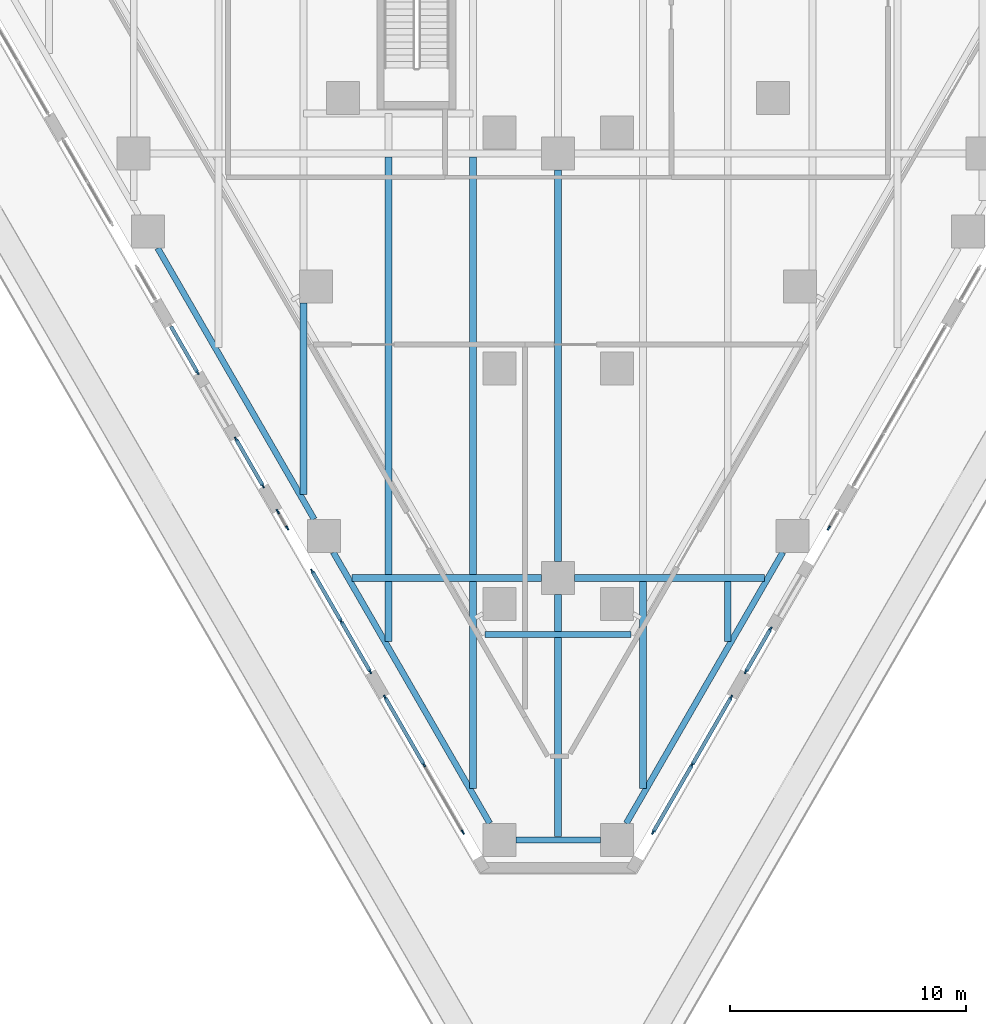
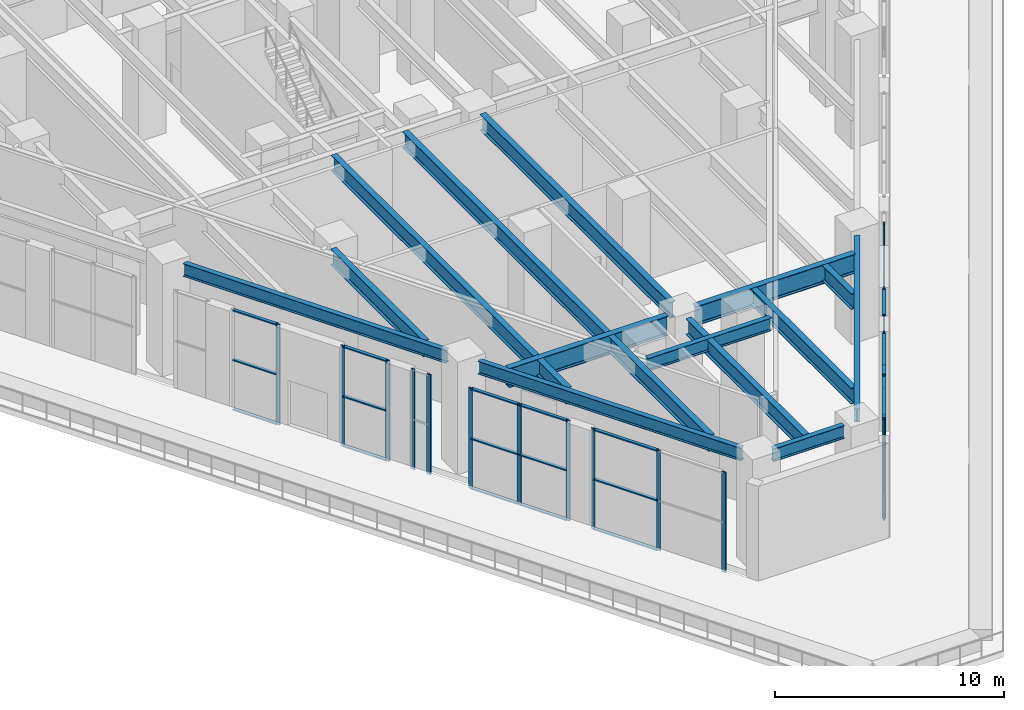
# One storey, part 2 of 40: 41 members, 16 beams, 8 elements without a shape of their own.
"""IFC4 building model written with IfcOpenShell, lengths in metres."""

import ifcopenshell
import ifcopenshell.guid

model = None  # the IFC model being written
_history = None  # IfcOwnerHistory: only IFC2X3 demands one
_inside = {}  # id of a spatial element -> (the spatial element, [elements in it])
_under = {}  # id of a project, library or spatial element -> (it, [spatial elements below it])
_declared = {}  # id of a project -> (the project, [libraries it declares])
_typed = {}  # id of a type object -> (the type object, [elements of that type])
_made_of = {}  # id of a material, layer set ... -> (it, [elements and type objects made of it])


def new_model(schema):
    """Start an empty IFC model of exactly this schema.

    Asked for "IFC4X3", IfcOpenShell would pick the latest addendum, in which some entities
    have other attributes; the version numbers below select the first issue.
    IFC2X3 requires an IfcOwnerHistory on every rooted entity: one is made here for all.
    """
    global model, _history
    if schema == "IFC4X3":
        model = ifcopenshell.file(schema_version=(4, 3, 0, 0))
    else:
        model = ifcopenshell.file(schema=schema)
    _inside.clear()
    _under.clear()
    _declared.clear()
    _typed.clear()
    _made_of.clear()
    _history = None
    if model.schema == "IFC2X3":
        org = make("IfcOrganization", Name="unknown")
        user = make(
            "IfcPersonAndOrganization",
            ThePerson=make("IfcPerson", FamilyName="unknown"),
            TheOrganization=org,
        )
        app = make(
            "IfcApplication",
            ApplicationDeveloper=org,
            Version="unknown",
            ApplicationFullName="unknown",
            ApplicationIdentifier="unknown",
        )
        _history = make(
            "IfcOwnerHistory",
            OwningUser=user,
            OwningApplication=app,
            ChangeAction="ADDED",
            CreationDate=0,
        )
    return model


def make(cls, **values):
    """One entity of the class cls with the attributes given. An attribute that is None is left unset."""
    return model.create_entity(
        cls, **{name: value for name, value in values.items() if value is not None}
    )


def rooted(cls, **values):
    """An entity with a GlobalId (a new one), such as an element, a storey or a relation."""
    return make(cls, GlobalId=ifcopenshell.guid.new(), OwnerHistory=_history, **values)


def si_unit(unit_type, name, prefix=None):
    """IfcSIUnit, for example si_unit("LENGTHUNIT", "METRE", prefix="MILLI")."""
    return make("IfcSIUnit", UnitType=unit_type, Prefix=prefix, Name=name)


def assignment(units):
    """IfcUnitAssignment: the units of a project."""
    return None if units is None else make("IfcUnitAssignment", Units=units)


def point(xyz):
    """IfcCartesianPoint."""
    return None if xyz is None else make("IfcCartesianPoint", Coordinates=xyz)


def direction(xyz):
    """IfcDirection."""
    return None if xyz is None else make("IfcDirection", DirectionRatios=xyz)


def frame(location, z_axis=None, x_axis=None):
    """IfcAxis2Placement3D, a coordinate frame: its origin and axes. An axis left out is left unset."""
    return make(
        "IfcAxis2Placement3D",
        Location=point(location),
        Axis=direction(z_axis),
        RefDirection=direction(x_axis),
    )


def frame_2d(location, x_axis=None):
    """IfcAxis2Placement2D, a coordinate frame in the plane: its origin and x axis."""
    return make(
        "IfcAxis2Placement2D", Location=point(location), RefDirection=direction(x_axis)
    )


def origin():
    """The frame at (0, 0, 0) with its axes left unset."""
    return frame((0.0, 0.0, 0.0))


def origin_2d():
    """The frame at (0, 0) in the plane with its x axis left unset."""
    return frame_2d((0.0, 0.0))


def place(relative_to, where):
    """IfcLocalPlacement: puts the frame where relative to a parent placement (None: the world)."""
    return make(
        "IfcLocalPlacement", PlacementRelTo=relative_to, RelativePlacement=where
    )


def context(
    kind, dimensions, precision=None, world=None, true_north=None, identifier=None
):
    """IfcGeometricRepresentationContext, for example the 3D "Model" context."""
    return make(
        "IfcGeometricRepresentationContext",
        ContextIdentifier=identifier,
        ContextType=kind,
        CoordinateSpaceDimension=dimensions,
        Precision=precision,
        WorldCoordinateSystem=world,
        TrueNorth=true_north,
    )


def subcontext(parent, identifier, kind, view, scale=None):
    """IfcGeometricRepresentationSubContext, for example "Body" below "Model"."""
    return make(
        "IfcGeometricRepresentationSubContext",
        ContextIdentifier=identifier,
        ContextType=kind,
        ParentContext=parent,
        TargetScale=scale,
        TargetView=view,
    )


def project(units=None, contexts=None):
    """IfcProject with its units and contexts."""
    return rooted(
        "IfcProject",
        Name="project",
        RepresentationContexts=contexts,
        UnitsInContext=assignment(units),
    )


def spatial(cls, under=None, at=None, **own):
    """A site, building, storey or space (cls), placed at a placement, below another one or the project."""
    s = rooted(cls, ObjectPlacement=at, **own)
    if under is not None:
        _under.setdefault(under.id(), (under, []))[1].append(s)
    return s


def profile(cls, at=None, kind="AREA", **sizes):
    """A parametric profile (cls). Its sizes go by their IFC names, for example OverallWidth=200.0."""
    return make(cls, ProfileType=kind, Position=at, **sizes)


def rectangle(**sizes):
    """IfcRectangleProfileDef."""
    return profile("IfcRectangleProfileDef", **sizes)


def i_section(**sizes):
    """IfcIShapeProfileDef."""
    return profile("IfcIShapeProfileDef", **sizes)


def extrude(swept, where, along, depth):
    """IfcExtrudedAreaSolid: the profile swept, set in the frame where, extruded along a direction by depth."""
    return make(
        "IfcExtrudedAreaSolid",
        SweptArea=swept,
        Position=where,
        ExtrudedDirection=direction(along),
        Depth=depth,
    )


def shape(context_of_items, identifier, shape_type, items):
    """IfcShapeRepresentation: the items that make up one representation, for example the "Body"."""
    return make(
        "IfcShapeRepresentation",
        ContextOfItems=context_of_items,
        RepresentationIdentifier=identifier,
        RepresentationType=shape_type,
        Items=items,
    )


def material(Name=None, Category=None):
    """IfcMaterial."""
    return make("IfcMaterial", Name=Name, Category=Category)


def material_profile(
    of_material, cross_section, Name=None, Category=None, Priority=None
):
    """IfcMaterialProfile: a cross section and its material."""
    return make(
        "IfcMaterialProfile",
        Name=Name,
        Material=of_material,
        Profile=cross_section,
        Priority=Priority,
        Category=Category,
    )


def profile_set(profiles, Name=None, composite=None):
    """IfcMaterialProfileSet."""
    return make(
        "IfcMaterialProfileSet",
        Name=Name,
        MaterialProfiles=profiles,
        CompositeProfile=composite,
    )


def made_of(thing, what):
    """Note that an element or type object is made of a material, layer set ...; save() writes the relation."""
    if what is not None:
        _made_of.setdefault(what.id(), (what, []))[1].append(thing)
    return thing


def type_object(cls, material=None, **own):
    """A type object (cls), such as IfcWallType, which elements share."""
    return made_of(rooted(cls, **own), material)


def element(
    cls,
    number,
    at=None,
    inside=None,
    cuts=None,
    type_object=None,
    material=None,
    context=None,
    identifier="Body",
    shape_type=None,
    held_by="IfcProductDefinitionShape",
    body=None,
    shapes=None,
    **own,
):
    """One element of the class cls, such as IfcWall. Its Tag is "e" and its number.

    at: its placement. inside: the storey or other place that contains it. cuts: it is an
    opening in that element (IfcRelVoidsElement). A single representation is given by context,
    identifier, shape_type and body (its items); several are given by shapes. held_by: the class
    of the entity that holds the representations. save() writes the other relations.
    """
    e = rooted(cls, Tag="e%d" % number, ObjectPlacement=at, **own)
    if body is not None:
        shapes = [shape(context, identifier, shape_type, body)]
    if shapes is not None:
        e.Representation = make(held_by, Representations=shapes)
    if inside is not None:
        _inside.setdefault(inside.id(), (inside, []))[1].append(e)
    if cuts is not None:
        rooted(
            "IfcRelVoidsElement", RelatingBuildingElement=cuts, RelatedOpeningElement=e
        )
    if type_object is not None:
        _typed.setdefault(type_object.id(), (type_object, []))[1].append(e)
    return made_of(e, material)


def aggregate(whole, parts):
    """IfcRelAggregates: a whole, such as a stair, and the parts it consists of."""
    return rooted("IfcRelAggregates", RelatingObject=whole, RelatedObjects=parts)


def save(model, path):
    """Write the relations noted so far, then the file.

    IfcRelAggregates (storeys below a building ...), IfcRelContainedInSpatialStructure (elements
    in a storey), IfcRelDefinesByType, IfcRelAssociatesMaterial and IfcRelDeclares: one each for
    every whole, place, type object, material and project.
    """
    for whole, parts in _under.values():
        aggregate(whole, parts)
    for where, things in _inside.values():
        rooted(
            "IfcRelContainedInSpatialStructure",
            RelatedElements=things,
            RelatingStructure=where,
        )
    for kind, things in _typed.values():
        rooted("IfcRelDefinesByType", RelatedObjects=things, RelatingType=kind)
    for what, things in _made_of.values():
        rooted("IfcRelAssociatesMaterial", RelatedObjects=things, RelatingMaterial=what)
    for by, libraries in _declared.values():
        rooted("IfcRelDeclares", RelatingContext=by, RelatedDefinitions=libraries)
    model.write(path)


model = new_model("IFC4")

# Units and contexts
model_context = context("Model", 3, precision=1e-05, world=origin(), true_north=direction((0.0, 1.0)))
body_context = subcontext(model_context, "Body", "Model", "MODEL_VIEW")
ifc_project = project(units=[si_unit("LENGTHUNIT", "METRE"), si_unit("AREAUNIT", "SQUARE_METRE"), si_unit("VOLUMEUNIT", "CUBIC_METRE"), si_unit("PLANEANGLEUNIT", "RADIAN"), si_unit("MASSUNIT", "GRAM", prefix="KILO")], contexts=[model_context])

# Site, building, storey
site_placement = place(None, origin())
site = spatial("IfcSite", under=ifc_project, at=site_placement, CompositionType="ELEMENT")
building_placement = place(site_placement, origin())
building = spatial("IfcBuilding", under=site, at=building_placement, Name="Aloe Facet Convention Tower", CompositionType="ELEMENT")
storey_placement = place(building_placement, frame((0.0, 0.0, 13.5)))
storey = spatial("IfcBuildingStorey", under=building, at=storey_placement, Name="L02", CompositionType="ELEMENT", Elevation=13.5)

# Beam
ifc_material_1 = material(Name="Steel S355", Category="steel")
ifc_material_profile_1 = material_profile(ifc_material_1, i_section(OverallWidth=0.25439453125, OverallDepth=0.6875, WebThickness=0.01318359375, FlangeThickness=0.02099609375, FilletRadius=0.01513671875, at=origin_2d()), Name="UB 686x254x152")
ifc_profile_set_1 = profile_set([ifc_material_profile_1], Name="Steel S355")
beam_type_1 = type_object("IfcBeamType", Name="EV-EB-UB686x254x152", PredefinedType="BEAM", material=ifc_profile_set_1)
beam_1_placement = place(storey_placement, frame((76.89501953125, 60.598876953125, 5.40625), z_axis=(1.0, 0.0, 0.0), x_axis=(0.0, 1.0, 0.0)))
element("IfcBeam", 1, at=beam_1_placement, inside=storey, type_object=beam_type_1, Name="EB-L03-B", PredefinedType="BEAM", context=body_context, shape_type="SweptSolid", body=[
    extrude(i_section(OverallWidth=0.25439453125, OverallDepth=0.6875, WebThickness=0.01318359375, FlangeThickness=0.02099609375, FilletRadius=0.01513671875, at=origin_2d()), origin(), (0.0, 0.0, 1.0), 6.2099609375),
])

# Curtain wall, member
ifc_material_2 = material(Name="Aluminium, anodised", Category="aluminium")
curtain_wall_type = type_object("IfcCurtainWallType", Name="EV-CW-HALL", PredefinedType="USERDEFINED", material=ifc_material_2)
curtain_wall_1_placement = place(storey_placement, origin())
curtain_wall_1 = element("IfcCurtainWall", 2, at=curtain_wall_1_placement, inside=storey, type_object=curtain_wall_type, Name="CW-L02-W16A", ObjectType="UNITISED HALL GLAZING", PredefinedType="USERDEFINED")
ifc_material_3 = material(Name="Aluminium, anodised", Category="aluminium")
ifc_material_profile_2 = material_profile(ifc_material_3, rectangle(XDim=0.06494140625, YDim=0.199951171875, at=origin_2d()), Name="AL 65x200")
ifc_profile_set_2 = profile_set([ifc_material_profile_2], Name="Aluminium, anodised")
member_type_1 = type_object("IfcMemberType", Name="EV-MULL-HALL", PredefinedType="MULLION", material=ifc_profile_set_2)
member_1_placement = place(storey_placement, frame((64.705078125, 71.712158203125, -0.300048828125), z_axis=(0.0, 0.0, 1.0), x_axis=(0.866025403837, 0.499999999909, 0.0)))
member_1 = element("IfcMember", 3, at=member_1_placement, type_object=member_type_1, Name="CW-L02-W16A mullion 2", PredefinedType="MULLION", context=body_context, shape_type="SweptSolid", body=[
    extrude(rectangle(XDim=0.06494140625, YDim=0.199951171875, at=origin_2d()), origin(), (0.0, 0.0, 1.0), 5.362548828125),
])

# Curtain wall, members
curtain_wall_2_placement = place(storey_placement, origin())
curtain_wall_2 = element("IfcCurtainWall", 4, at=curtain_wall_2_placement, inside=storey, type_object=curtain_wall_type, Name="CW-L02-W16B", ObjectType="UNITISED HALL GLAZING", PredefinedType="USERDEFINED")
member_2_placement = place(storey_placement, frame((66.337646484375, 68.884521484375, -0.300048828125), z_axis=(0.0, 0.0, 1.0), x_axis=(0.866025403837, 0.499999999909, 0.0)))
member_2 = element("IfcMember", 5, at=member_2_placement, type_object=member_type_1, Name="CW-L02-W16B mullion 1", PredefinedType="MULLION", context=body_context, shape_type="SweptSolid", body=[
    extrude(rectangle(XDim=0.06494140625, YDim=0.199951171875, at=origin_2d()), origin(), (0.0, 0.0, 1.0), 5.362548828125),
])
member_3_placement = place(storey_placement, frame((67.479736328125, 66.90625, -0.300048828125), z_axis=(0.0, 0.0, 1.0), x_axis=(0.866025403837, 0.499999999909, 0.0)))
member_3 = element("IfcMember", 6, at=member_3_placement, type_object=member_type_1, Name="CW-L02-W16B mullion 2", PredefinedType="MULLION", context=body_context, shape_type="SweptSolid", body=[
    extrude(rectangle(XDim=0.06494140625, YDim=0.199951171875, at=origin_2d()), origin(), (0.0, 0.0, 1.0), 5.362548828125),
])

curtain_wall_3_placement = place(storey_placement, origin())
curtain_wall_3 = element("IfcCurtainWall", 7, at=curtain_wall_3_placement, inside=storey, type_object=curtain_wall_type, Name="CW-L02-W18-1", ObjectType="UNITISED HALL GLAZING", PredefinedType="USERDEFINED")
member_4_placement = place(storey_placement, frame((68.1123046875, 65.810546875, -0.300048828125), z_axis=(0.0, 0.0, 1.0), x_axis=(0.866025403688, 0.500000000166, 0.0)))
member_4 = element("IfcMember", 8, at=member_4_placement, type_object=member_type_1, Name="CW-L02-W18-1 mullion 1", PredefinedType="MULLION", context=body_context, shape_type="SweptSolid", body=[
    extrude(rectangle(XDim=0.06494140625, YDim=0.199951171875, at=origin_2d()), origin(), (0.0, 0.0, 1.0), 5.362548828125),
])
member_5_placement = place(storey_placement, frame((68.5146484375, 65.11376953125, -0.300048828125), z_axis=(0.0, 0.0, 1.0), x_axis=(0.866025403688, 0.500000000166, 0.0)))
member_5 = element("IfcMember", 9, at=member_5_placement, type_object=member_type_1, Name="CW-L02-W18-1 mullion 2", PredefinedType="MULLION", context=body_context, shape_type="SweptSolid", body=[
    extrude(rectangle(XDim=0.06494140625, YDim=0.199951171875, at=origin_2d()), origin(), (0.0, 0.0, 1.0), 5.362548828125),
])
aggregate(curtain_wall_3, [member_4, member_5])

curtain_wall_4_placement = place(storey_placement, origin())
curtain_wall_4 = element("IfcCurtainWall", 10, at=curtain_wall_4_placement, inside=storey, type_object=curtain_wall_type, Name="CW-L02-W18-2", ObjectType="UNITISED HALL GLAZING", PredefinedType="USERDEFINED")
member_6_placement = place(storey_placement, frame((69.57177734375, 63.282958984375, -0.300048828125), z_axis=(0.0, 0.0, 1.0), x_axis=(0.866025403767, 0.50000000003, 0.0)))
member_6 = element("IfcMember", 11, at=member_6_placement, type_object=member_type_1, Name="CW-L02-W18-2 mullion 1", PredefinedType="MULLION", context=body_context, shape_type="SweptSolid", body=[
    extrude(rectangle(XDim=0.06494140625, YDim=0.199951171875, at=origin_2d()), origin(), (0.0, 0.0, 1.0), 5.362548828125),
])
member_7_placement = place(storey_placement, frame((70.800537109375, 61.154541015625, -0.300048828125), z_axis=(0.0, 0.0, 1.0), x_axis=(0.866025403767, 0.50000000003, 0.0)))
member_7 = element("IfcMember", 12, at=member_7_placement, type_object=member_type_1, Name="CW-L02-W18-2 mullion 2", PredefinedType="MULLION", context=body_context, shape_type="SweptSolid", body=[
    extrude(rectangle(XDim=0.06494140625, YDim=0.199951171875, at=origin_2d()), origin(), (0.0, 0.0, 1.0), 5.362548828125),
])
member_8_placement = place(storey_placement, frame((72.029296875, 59.0263671875, -0.300048828125), z_axis=(0.0, 0.0, 1.0), x_axis=(0.866025403767, 0.50000000003, 0.0)))
member_8 = element("IfcMember", 13, at=member_8_placement, type_object=member_type_1, Name="CW-L02-W18-2 mullion 3", PredefinedType="MULLION", context=body_context, shape_type="SweptSolid", body=[
    extrude(rectangle(XDim=0.06494140625, YDim=0.199951171875, at=origin_2d()), origin(), (0.0, 0.0, 1.0), 5.362548828125),
])

curtain_wall_5_placement = place(storey_placement, origin())
curtain_wall_5 = element("IfcCurtainWall", 14, at=curtain_wall_5_placement, inside=storey, type_object=curtain_wall_type, Name="CW-L02-W20", ObjectType="UNITISED HALL GLAZING", PredefinedType="USERDEFINED")
member_9_placement = place(storey_placement, frame((72.66162109375, 57.930908203125, -0.300048828125), z_axis=(0.0, 0.0, 1.0), x_axis=(0.86602540375, 0.50000000006, 0.0)))
member_9 = element("IfcMember", 15, at=member_9_placement, type_object=member_type_1, Name="CW-L02-W20 mullion 1", PredefinedType="MULLION", context=body_context, shape_type="SweptSolid", body=[
    extrude(rectangle(XDim=0.06494140625, YDim=0.199951171875, at=origin_2d()), origin(), (0.0, 0.0, 1.0), 5.362548828125),
])
member_10_placement = place(storey_placement, frame((74.31201171875, 55.072509765625, -0.300048828125), z_axis=(0.0, 0.0, 1.0), x_axis=(0.86602540375, 0.50000000006, 0.0)))
member_10 = element("IfcMember", 16, at=member_10_placement, type_object=member_type_1, Name="CW-L02-W20 mullion 2", PredefinedType="MULLION", context=body_context, shape_type="SweptSolid", body=[
    extrude(rectangle(XDim=0.06494140625, YDim=0.199951171875, at=origin_2d()), origin(), (0.0, 0.0, 1.0), 5.362548828125),
])
member_11_placement = place(storey_placement, frame((75.962158203125, 52.214111328125, -0.300048828125), z_axis=(0.0, 0.0, 1.0), x_axis=(0.86602540375, 0.50000000006, 0.0)))
member_11 = element("IfcMember", 17, at=member_11_placement, type_object=member_type_1, Name="CW-L02-W20 mullion 3", PredefinedType="MULLION", context=body_context, shape_type="SweptSolid", body=[
    extrude(rectangle(XDim=0.06494140625, YDim=0.199951171875, at=origin_2d()), origin(), (0.0, 0.0, 1.0), 5.362548828125),
])

curtain_wall_6_placement = place(storey_placement, origin())
curtain_wall_6 = element("IfcCurtainWall", 18, at=curtain_wall_6_placement, inside=storey, type_object=curtain_wall_type, Name="CW-L02-E02", ObjectType="UNITISED HALL GLAZING", PredefinedType="USERDEFINED")
member_12_placement = place(storey_placement, frame((84.037841796875, 52.214111328125, -0.300048828125), z_axis=(0.0, 0.0, 1.0), x_axis=(-0.86602540375, 0.50000000006, 0.0)))
member_12 = element("IfcMember", 19, at=member_12_placement, type_object=member_type_1, Name="CW-L02-E02 mullion 1", PredefinedType="MULLION", context=body_context, shape_type="SweptSolid", body=[
    extrude(rectangle(XDim=0.06494140625, YDim=0.199951171875, at=origin_2d()), origin(), (0.0, 0.0, 1.0), 5.362548828125),
])
member_13_placement = place(storey_placement, frame((85.68798828125, 55.072509765625, -0.300048828125), z_axis=(0.0, 0.0, 1.0), x_axis=(-0.86602540375, 0.50000000006, 0.0)))
member_13 = element("IfcMember", 20, at=member_13_placement, type_object=member_type_1, Name="CW-L02-E02 mullion 2", PredefinedType="MULLION", context=body_context, shape_type="SweptSolid", body=[
    extrude(rectangle(XDim=0.06494140625, YDim=0.199951171875, at=origin_2d()), origin(), (0.0, 0.0, 1.0), 5.362548828125),
])
member_14_placement = place(storey_placement, frame((87.33837890625, 57.930908203125, -0.300048828125), z_axis=(0.0, 0.0, 1.0), x_axis=(-0.86602540375, 0.50000000006, 0.0)))
member_14 = element("IfcMember", 21, at=member_14_placement, type_object=member_type_1, Name="CW-L02-E02 mullion 3", PredefinedType="MULLION", context=body_context, shape_type="SweptSolid", body=[
    extrude(rectangle(XDim=0.06494140625, YDim=0.199951171875, at=origin_2d()), origin(), (0.0, 0.0, 1.0), 5.362548828125),
])

curtain_wall_7_placement = place(storey_placement, origin())
curtain_wall_7 = element("IfcCurtainWall", 22, at=curtain_wall_7_placement, inside=storey, type_object=curtain_wall_type, Name="CW-L02-E04A", ObjectType="UNITISED HALL GLAZING", PredefinedType="USERDEFINED")
member_15_placement = place(storey_placement, frame((87.970703125, 59.0263671875, -0.300048828125), z_axis=(0.0, 0.0, 1.0), x_axis=(-0.866025403811, 0.499999999955, 0.0)))
member_15 = element("IfcMember", 23, at=member_15_placement, type_object=member_type_1, Name="CW-L02-E04A mullion 1", PredefinedType="MULLION", context=body_context, shape_type="SweptSolid", body=[
    extrude(rectangle(XDim=0.06494140625, YDim=0.199951171875, at=origin_2d()), origin(), (0.0, 0.0, 1.0), 5.362548828125),
])
member_16_placement = place(storey_placement, frame((89.012939453125, 60.83154296875, -0.300048828125), z_axis=(0.0, 0.0, 1.0), x_axis=(-0.866025403811, 0.499999999955, 0.0)))
member_16 = element("IfcMember", 24, at=member_16_placement, type_object=member_type_1, Name="CW-L02-E04A mullion 2", PredefinedType="MULLION", context=body_context, shape_type="SweptSolid", body=[
    extrude(rectangle(XDim=0.06494140625, YDim=0.199951171875, at=origin_2d()), origin(), (0.0, 0.0, 1.0), 5.362548828125),
])

# Curtain wall, member
curtain_wall_8_placement = place(storey_placement, origin())
curtain_wall_8 = element("IfcCurtainWall", 25, at=curtain_wall_8_placement, inside=storey, type_object=curtain_wall_type, Name="CW-L02-E04B", ObjectType="UNITISED HALL GLAZING", PredefinedType="USERDEFINED")
member_17_placement = place(storey_placement, frame((91.4853515625, 65.11376953125, -0.300048828125), z_axis=(0.0, 0.0, 1.0), x_axis=(-0.866025403688, 0.500000000166, 0.0)))
member_17 = element("IfcMember", 26, at=member_17_placement, type_object=member_type_1, Name="CW-L02-E04B mullion 1", PredefinedType="MULLION", context=body_context, shape_type="SweptSolid", body=[
    extrude(rectangle(XDim=0.06494140625, YDim=0.199951171875, at=origin_2d()), origin(), (0.0, 0.0, 1.0), 5.362548828125),
])
aggregate(curtain_wall_8, [member_17])

# Member
ifc_material_4 = material(Name="Aluminium, anodised", Category="aluminium")
ifc_material_profile_3 = material_profile(ifc_material_4, rectangle(XDim=0.159912109375, YDim=0.06494140625, at=origin_2d()), Name="AL 160x65")
ifc_profile_set_3 = profile_set([ifc_material_profile_3], Name="Aluminium, anodised")
member_type_2 = type_object("IfcMemberType", Name="EV-TRAN-HALL", PredefinedType="USERDEFINED", material=ifc_profile_set_3)
member_18_placement = place(storey_placement, frame((63.5791015625, 73.662353515625, -0.267578125), z_axis=(0.500043007702, -0.866000571852, 0.0), x_axis=(0.866000571852, 0.500043007702, 0.0)))
member_18 = element("IfcMember", 27, at=member_18_placement, type_object=member_type_2, Name="CW-L02-W16A transom 1.1", ObjectType="TRANSOM", PredefinedType="USERDEFINED", context=body_context, shape_type="SweptSolid", body=[
    extrude(rectangle(XDim=0.159912109375, YDim=0.06494140625, at=origin_2d()), origin(), (0.0, 0.0, 1.0), 2.219482421875),
])

member_19_placement = place(storey_placement, frame((63.5791015625, 73.662353515625, 2.38134765625), z_axis=(0.500043007702, -0.866000571852, 0.0), x_axis=(0.866000571852, 0.500043007702, 0.0)))
member_19 = element("IfcMember", 28, at=member_19_placement, type_object=member_type_2, Name="CW-L02-W16A transom 1.2", ObjectType="TRANSOM", PredefinedType="USERDEFINED", context=body_context, shape_type="SweptSolid", body=[
    extrude(rectangle(XDim=0.159912109375, YDim=0.06494140625, at=origin_2d()), origin(), (0.0, 0.0, 1.0), 2.219482421875),
])

member_20_placement = place(storey_placement, frame((63.5791015625, 73.662353515625, 5.030029296875), z_axis=(0.500043007702, -0.866000571852, 0.0), x_axis=(0.866000571852, 0.500043007702, 0.0)))
member_20 = element("IfcMember", 29, at=member_20_placement, type_object=member_type_2, Name="CW-L02-W16A transom 1.3", ObjectType="TRANSOM", PredefinedType="USERDEFINED", context=body_context, shape_type="SweptSolid", body=[
    extrude(rectangle(XDim=0.159912109375, YDim=0.06494140625, at=origin_2d()), origin(), (0.0, 0.0, 1.0), 2.219482421875),
])

aggregate(curtain_wall_1, [member_1, member_18, member_19, member_20])

member_21_placement = place(storey_placement, frame((66.353759765625, 68.8564453125, -0.267578125), z_axis=(0.500043007702, -0.866000571852, 0.0), x_axis=(0.866000571852, 0.500043007702, 0.0)))
member_21 = element("IfcMember", 30, at=member_21_placement, type_object=member_type_2, Name="CW-L02-W16B transom 1.1", ObjectType="TRANSOM", PredefinedType="USERDEFINED", context=body_context, shape_type="SweptSolid", body=[
    extrude(rectangle(XDim=0.159912109375, YDim=0.06494140625, at=origin_2d()), origin(), (0.0, 0.0, 1.0), 2.219482421875),
])

member_22_placement = place(storey_placement, frame((66.353759765625, 68.8564453125, 2.38134765625), z_axis=(0.500043007702, -0.866000571852, 0.0), x_axis=(0.866000571852, 0.500043007702, 0.0)))
member_22 = element("IfcMember", 31, at=member_22_placement, type_object=member_type_2, Name="CW-L02-W16B transom 1.2", ObjectType="TRANSOM", PredefinedType="USERDEFINED", context=body_context, shape_type="SweptSolid", body=[
    extrude(rectangle(XDim=0.159912109375, YDim=0.06494140625, at=origin_2d()), origin(), (0.0, 0.0, 1.0), 2.219482421875),
])

member_23_placement = place(storey_placement, frame((66.353759765625, 68.8564453125, 5.030029296875), z_axis=(0.500043007702, -0.866000571852, 0.0), x_axis=(0.866000571852, 0.500043007702, 0.0)))
member_23 = element("IfcMember", 32, at=member_23_placement, type_object=member_type_2, Name="CW-L02-W16B transom 1.3", ObjectType="TRANSOM", PredefinedType="USERDEFINED", context=body_context, shape_type="SweptSolid", body=[
    extrude(rectangle(XDim=0.159912109375, YDim=0.06494140625, at=origin_2d()), origin(), (0.0, 0.0, 1.0), 2.219482421875),
])

aggregate(curtain_wall_2, [member_2, member_3, member_21, member_22, member_23])

member_24_placement = place(storey_placement, frame((69.587890625, 63.2548828125, -0.267578125), z_axis=(0.500002163175, -0.866024154871, 0.0), x_axis=(0.866024154871, 0.500002163175, 0.0)))
member_24 = element("IfcMember", 33, at=member_24_placement, type_object=member_type_2, Name="CW-L02-W18-2 transom 1.1", ObjectType="TRANSOM", PredefinedType="USERDEFINED", context=body_context, shape_type="SweptSolid", body=[
    extrude(rectangle(XDim=0.159912109375, YDim=0.06494140625, at=origin_2d()), origin(), (0.0, 0.0, 1.0), 2.392578125),
])

member_25_placement = place(storey_placement, frame((69.587890625, 63.2548828125, 2.38134765625), z_axis=(0.500002163175, -0.866024154871, 0.0), x_axis=(0.866024154871, 0.500002163175, 0.0)))
member_25 = element("IfcMember", 34, at=member_25_placement, type_object=member_type_2, Name="CW-L02-W18-2 transom 1.2", ObjectType="TRANSOM", PredefinedType="USERDEFINED", context=body_context, shape_type="SweptSolid", body=[
    extrude(rectangle(XDim=0.159912109375, YDim=0.06494140625, at=origin_2d()), origin(), (0.0, 0.0, 1.0), 2.392578125),
])

member_26_placement = place(storey_placement, frame((69.587890625, 63.2548828125, 5.030029296875), z_axis=(0.500002163175, -0.866024154871, 0.0), x_axis=(0.866024154871, 0.500002163175, 0.0)))
member_26 = element("IfcMember", 35, at=member_26_placement, type_object=member_type_2, Name="CW-L02-W18-2 transom 1.3", ObjectType="TRANSOM", PredefinedType="USERDEFINED", context=body_context, shape_type="SweptSolid", body=[
    extrude(rectangle(XDim=0.159912109375, YDim=0.06494140625, at=origin_2d()), origin(), (0.0, 0.0, 1.0), 2.392578125),
])

member_27_placement = place(storey_placement, frame((70.816650390625, 61.12646484375, -0.267578125), z_axis=(0.500002163175, -0.866024154871, 0.0), x_axis=(0.866024154871, 0.500002163175, 0.0)))
member_27 = element("IfcMember", 36, at=member_27_placement, type_object=member_type_2, Name="CW-L02-W18-2 transom 2.1", ObjectType="TRANSOM", PredefinedType="USERDEFINED", context=body_context, shape_type="SweptSolid", body=[
    extrude(rectangle(XDim=0.159912109375, YDim=0.06494140625, at=origin_2d()), origin(), (0.0, 0.0, 1.0), 2.392578125),
])

member_28_placement = place(storey_placement, frame((70.816650390625, 61.12646484375, 2.38134765625), z_axis=(0.500002163175, -0.866024154871, 0.0), x_axis=(0.866024154871, 0.500002163175, 0.0)))
member_28 = element("IfcMember", 37, at=member_28_placement, type_object=member_type_2, Name="CW-L02-W18-2 transom 2.2", ObjectType="TRANSOM", PredefinedType="USERDEFINED", context=body_context, shape_type="SweptSolid", body=[
    extrude(rectangle(XDim=0.159912109375, YDim=0.06494140625, at=origin_2d()), origin(), (0.0, 0.0, 1.0), 2.392578125),
])

member_29_placement = place(storey_placement, frame((70.816650390625, 61.12646484375, 5.030029296875), z_axis=(0.500002163175, -0.866024154871, 0.0), x_axis=(0.866024154871, 0.500002163175, 0.0)))
member_29 = element("IfcMember", 38, at=member_29_placement, type_object=member_type_2, Name="CW-L02-W18-2 transom 2.3", ObjectType="TRANSOM", PredefinedType="USERDEFINED", context=body_context, shape_type="SweptSolid", body=[
    extrude(rectangle(XDim=0.159912109375, YDim=0.06494140625, at=origin_2d()), origin(), (0.0, 0.0, 1.0), 2.392578125),
])

aggregate(curtain_wall_4, [member_6, member_7, member_8, member_24, member_25, member_26, member_27, member_28, member_29])

member_30_placement = place(storey_placement, frame((72.677978515625, 57.902587890625, -0.267578125), z_axis=(0.499985905884, -0.866033540873, 0.0), x_axis=(0.866033540873, 0.499985905884, 0.0)))
member_30 = element("IfcMember", 39, at=member_30_placement, type_object=member_type_2, Name="CW-L02-W20 transom 1.1", ObjectType="TRANSOM", PredefinedType="USERDEFINED", context=body_context, shape_type="SweptSolid", body=[
    extrude(rectangle(XDim=0.159912109375, YDim=0.06494140625, at=origin_2d()), origin(), (0.0, 0.0, 1.0), 3.2353515625),
])

member_31_placement = place(storey_placement, frame((72.677978515625, 57.902587890625, 2.38134765625), z_axis=(0.499985905884, -0.866033540873, 0.0), x_axis=(0.866033540873, 0.499985905884, 0.0)))
member_31 = element("IfcMember", 40, at=member_31_placement, type_object=member_type_2, Name="CW-L02-W20 transom 1.2", ObjectType="TRANSOM", PredefinedType="USERDEFINED", context=body_context, shape_type="SweptSolid", body=[
    extrude(rectangle(XDim=0.159912109375, YDim=0.06494140625, at=origin_2d()), origin(), (0.0, 0.0, 1.0), 3.2353515625),
])

member_32_placement = place(storey_placement, frame((72.677978515625, 57.902587890625, 5.030029296875), z_axis=(0.499985905884, -0.866033540873, 0.0), x_axis=(0.866033540873, 0.499985905884, 0.0)))
member_32 = element("IfcMember", 41, at=member_32_placement, type_object=member_type_2, Name="CW-L02-W20 transom 1.3", ObjectType="TRANSOM", PredefinedType="USERDEFINED", context=body_context, shape_type="SweptSolid", body=[
    extrude(rectangle(XDim=0.159912109375, YDim=0.06494140625, at=origin_2d()), origin(), (0.0, 0.0, 1.0), 3.2353515625),
])

aggregate(curtain_wall_5, [member_9, member_10, member_11, member_30, member_31, member_32])

member_33_placement = place(storey_placement, frame((84.053955078125, 52.2421875, -0.267578125), z_axis=(0.50000982419, 0.866019731711, 0.0), x_axis=(-0.866019731711, 0.50000982419, 0.0)))
member_33 = element("IfcMember", 42, at=member_33_placement, type_object=member_type_2, Name="CW-L02-E02 transom 1.1", ObjectType="TRANSOM", PredefinedType="USERDEFINED", context=body_context, shape_type="SweptSolid", body=[
    extrude(rectangle(XDim=0.159912109375, YDim=0.06494140625, at=origin_2d()), origin(), (0.0, 0.0, 1.0), 3.23583984375),
])

member_34_placement = place(storey_placement, frame((84.053955078125, 52.2421875, 2.38134765625), z_axis=(0.50000982419, 0.866019731711, 0.0), x_axis=(-0.866019731711, 0.50000982419, 0.0)))
member_34 = element("IfcMember", 43, at=member_34_placement, type_object=member_type_2, Name="CW-L02-E02 transom 1.2", ObjectType="TRANSOM", PredefinedType="USERDEFINED", context=body_context, shape_type="SweptSolid", body=[
    extrude(rectangle(XDim=0.159912109375, YDim=0.06494140625, at=origin_2d()), origin(), (0.0, 0.0, 1.0), 3.23583984375),
])

member_35_placement = place(storey_placement, frame((84.053955078125, 52.2421875, 5.030029296875), z_axis=(0.50000982419, 0.866019731711, 0.0), x_axis=(-0.866019731711, 0.50000982419, 0.0)))
member_35 = element("IfcMember", 44, at=member_35_placement, type_object=member_type_2, Name="CW-L02-E02 transom 1.3", ObjectType="TRANSOM", PredefinedType="USERDEFINED", context=body_context, shape_type="SweptSolid", body=[
    extrude(rectangle(XDim=0.159912109375, YDim=0.06494140625, at=origin_2d()), origin(), (0.0, 0.0, 1.0), 3.23583984375),
])

member_36_placement = place(storey_placement, frame((85.704345703125, 55.1005859375, -0.267578125), z_axis=(0.499985905884, 0.866033540873, 0.0), x_axis=(-0.866033540873, 0.499985905884, 0.0)))
member_36 = element("IfcMember", 45, at=member_36_placement, type_object=member_type_2, Name="CW-L02-E02 transom 2.1", ObjectType="TRANSOM", PredefinedType="USERDEFINED", context=body_context, shape_type="SweptSolid", body=[
    extrude(rectangle(XDim=0.159912109375, YDim=0.06494140625, at=origin_2d()), origin(), (0.0, 0.0, 1.0), 3.2353515625),
])

member_37_placement = place(storey_placement, frame((85.704345703125, 55.1005859375, 2.38134765625), z_axis=(0.499985905884, 0.866033540873, 0.0), x_axis=(-0.866033540873, 0.499985905884, 0.0)))
member_37 = element("IfcMember", 46, at=member_37_placement, type_object=member_type_2, Name="CW-L02-E02 transom 2.2", ObjectType="TRANSOM", PredefinedType="USERDEFINED", context=body_context, shape_type="SweptSolid", body=[
    extrude(rectangle(XDim=0.159912109375, YDim=0.06494140625, at=origin_2d()), origin(), (0.0, 0.0, 1.0), 3.2353515625),
])

member_38_placement = place(storey_placement, frame((85.704345703125, 55.1005859375, 5.030029296875), z_axis=(0.499985905884, 0.866033540873, 0.0), x_axis=(-0.866033540873, 0.499985905884, 0.0)))
member_38 = element("IfcMember", 47, at=member_38_placement, type_object=member_type_2, Name="CW-L02-E02 transom 2.3", ObjectType="TRANSOM", PredefinedType="USERDEFINED", context=body_context, shape_type="SweptSolid", body=[
    extrude(rectangle(XDim=0.159912109375, YDim=0.06494140625, at=origin_2d()), origin(), (0.0, 0.0, 1.0), 3.2353515625),
])

aggregate(curtain_wall_6, [member_12, member_13, member_14, member_33, member_34, member_35, member_36, member_37, member_38])

member_39_placement = place(storey_placement, frame((87.987060546875, 59.054443359375, -0.267578125), z_axis=(0.499987549055, 0.866032592222, 0.0), x_axis=(-0.866032592222, 0.499987549055, 0.0)))
member_39 = element("IfcMember", 48, at=member_39_placement, type_object=member_type_2, Name="CW-L02-E04A transom 1.1", ObjectType="TRANSOM", PredefinedType="USERDEFINED", context=body_context, shape_type="SweptSolid", body=[
    extrude(rectangle(XDim=0.159912109375, YDim=0.06494140625, at=origin_2d()), origin(), (0.0, 0.0, 1.0), 2.01953125),
])

member_40_placement = place(storey_placement, frame((87.987060546875, 59.054443359375, 2.38134765625), z_axis=(0.499987549055, 0.866032592222, 0.0), x_axis=(-0.866032592222, 0.499987549055, 0.0)))
member_40 = element("IfcMember", 49, at=member_40_placement, type_object=member_type_2, Name="CW-L02-E04A transom 1.2", ObjectType="TRANSOM", PredefinedType="USERDEFINED", context=body_context, shape_type="SweptSolid", body=[
    extrude(rectangle(XDim=0.159912109375, YDim=0.06494140625, at=origin_2d()), origin(), (0.0, 0.0, 1.0), 2.01953125),
])

member_41_placement = place(storey_placement, frame((87.987060546875, 59.054443359375, 5.030029296875), z_axis=(0.499987549055, 0.866032592222, 0.0), x_axis=(-0.866032592222, 0.499987549055, 0.0)))
member_41 = element("IfcMember", 50, at=member_41_placement, type_object=member_type_2, Name="CW-L02-E04A transom 1.3", ObjectType="TRANSOM", PredefinedType="USERDEFINED", context=body_context, shape_type="SweptSolid", body=[
    extrude(rectangle(XDim=0.159912109375, YDim=0.06494140625, at=origin_2d()), origin(), (0.0, 0.0, 1.0), 2.01953125),
])

aggregate(curtain_wall_7, [member_15, member_16, member_39, member_40, member_41])

# Beams
ifc_material_5 = material(Name="Steel S355", Category="steel")
ifc_material_profile_4 = material_profile(ifc_material_5, i_section(OverallWidth=0.305419921875, OverallDepth=1.02587890625, WebThickness=0.02001953125, FlangeThickness=0.031005859375, FilletRadius=0.030029296875, at=origin_2d()), Name="UB 1016x305x349")
ifc_profile_set_4 = profile_set([ifc_material_profile_4], Name="Steel S355")
beam_type_2 = type_object("IfcBeamType", Name="SF-B-UB1016x305x349", PredefinedType="BEAM", material=ifc_profile_set_4)
for number, where, z_axis, x_axis, name in (
    (51, (71.248779296875, 63.0, 5.237060546875), (1.0, 0.0, 0.0), (0.0, 1.0, 0.0), "Floor beam FB-L03-032"),
    (52, (80.699951171875, 63.0, 5.237060546875), (1.0, 0.0, 0.0), (0.0, 1.0, 0.0), "Floor beam FB-L03-033"),
):
    element("IfcBeam", number, at=place(storey_placement, frame(where, z_axis=z_axis, x_axis=x_axis)), inside=storey, type_object=beam_type_2, Name=name, PredefinedType="BEAM", context=body_context, shape_type="SweptSolid", body=[
        extrude(i_section(OverallWidth=0.305419921875, OverallDepth=1.02587890625, WebThickness=0.02001953125, FlangeThickness=0.031005859375, FilletRadius=0.030029296875, at=origin_2d()), origin(), (0.0, 0.0, 1.0), 8.05126953125),
    ])
ifc_material_6 = material(Name="Steel S355", Category="steel")
ifc_material_profile_5 = material_profile(ifc_material_6, i_section(OverallWidth=0.25439453125, OverallDepth=0.6875, WebThickness=0.01318359375, FlangeThickness=0.02099609375, FilletRadius=0.01513671875, at=origin_2d()), Name="UB 686x254x152")
ifc_profile_set_5 = profile_set([ifc_material_profile_5], Name="Steel S355")
beam_type_3 = type_object("IfcBeamType", Name="SF-B-UB686x254x152", PredefinedType="BEAM", material=ifc_profile_set_5)
for number, where, z_axis, x_axis, name in (
    (53, (69.656494140625, 65.486083984375, 5.40625), (-0.499993007805, 0.866029440693, 0.0), (-0.866029440693, -0.499993007805, 0.0), "Floor beam FB-L03-011"),
    (54, (77.104248046875, 52.5859375, 5.40625), (-0.499993007805, 0.866029440693, 0.0), (-0.866029440693, -0.499993007805, 0.0), "Floor beam FB-L03-012"),
):
    element("IfcBeam", number, at=place(storey_placement, frame(where, z_axis=z_axis, x_axis=x_axis)), inside=storey, type_object=beam_type_3, Name=name, PredefinedType="BEAM", context=body_context, shape_type="SweptSolid", body=[
        extrude(i_section(OverallWidth=0.25439453125, OverallDepth=0.6875, WebThickness=0.01318359375, FlangeThickness=0.02099609375, FilletRadius=0.01513671875, at=origin_2d()), origin(), (0.0, 0.0, 1.0), 13.279052734375),
    ])
beam_2_placement = place(storey_placement, frame((81.7919921875, 51.88623046875, 5.40625), z_axis=(-1.0, 0.0, 0.0), x_axis=(0.0, -1.0, 0.0)))
element("IfcBeam", 55, at=beam_2_placement, inside=storey, type_object=beam_type_3, Name="Floor beam FB-L03-013", PredefinedType="BEAM", context=body_context, shape_type="SweptSolid", body=[
    extrude(i_section(OverallWidth=0.25439453125, OverallDepth=0.6875, WebThickness=0.01318359375, FlangeThickness=0.02099609375, FilletRadius=0.01513671875, at=origin_2d()), origin(), (0.0, 0.0, 1.0), 3.583984375),
])
beam_3_placement = place(storey_placement, frame((89.53515625, 64.0859375, 5.40625), z_axis=(-0.499993007805, -0.866029440693, 0.0), x_axis=(0.866029440693, -0.499993007805, 0.0)))
element("IfcBeam", 56, at=beam_3_placement, inside=storey, type_object=beam_type_3, Name="Floor beam FB-L03-014", PredefinedType="BEAM", context=body_context, shape_type="SweptSolid", body=[
    extrude(i_section(OverallWidth=0.25439453125, OverallDepth=0.6875, WebThickness=0.01318359375, FlangeThickness=0.02099609375, FilletRadius=0.01513671875, at=origin_2d()), origin(), (0.0, 0.0, 1.0), 13.279052734375),
])
ifc_material_7 = material(Name="Steel S355", Category="steel")
ifc_material_profile_6 = material_profile(ifc_material_7, i_section(OverallWidth=0.293701171875, OverallDepth=0.850830078125, WebThickness=0.01611328125, FlangeThickness=0.02685546875, FilletRadius=0.017822265625, at=origin_2d()), Name="UB 838x292x226")
ifc_profile_set_6 = profile_set([ifc_material_profile_6], Name="Steel S355")
beam_type_4 = type_object("IfcBeamType", Name="SF-B-UB838x292x226", PredefinedType="BEAM", material=ifc_profile_set_6)
beam_4_placement = place(storey_placement, frame((69.199951171875, 66.541259765625, 5.324462890625), z_axis=(0.0, 1.0, 0.0), x_axis=(-1.0, 0.0, 0.0)))
element("IfcBeam", 57, at=beam_4_placement, inside=storey, type_object=beam_type_4, Name="Floor beam FB-L03-067", PredefinedType="BEAM", context=body_context, shape_type="SweptSolid", body=[
    extrude(i_section(OverallWidth=0.293701171875, OverallDepth=0.850830078125, WebThickness=0.01611328125, FlangeThickness=0.02685546875, FilletRadius=0.017822265625, at=origin_2d()), origin(), (0.0, 0.0, 1.0), 8.124755859375),
])
beam_5_placement = place(storey_placement, frame((72.800048828125, 60.305908203125, 5.324462890625), z_axis=(0.0, 1.0, 0.0), x_axis=(-1.0, 0.0, 0.0)))
element("IfcBeam", 58, at=beam_5_placement, inside=storey, type_object=beam_type_4, Name="Floor beam FB-L03-074", PredefinedType="BEAM", context=body_context, shape_type="SweptSolid", body=[
    extrude(i_section(OverallWidth=0.293701171875, OverallDepth=0.850830078125, WebThickness=0.01611328125, FlangeThickness=0.02685546875, FilletRadius=0.017822265625, at=origin_2d()), origin(), (0.0, 0.0, 1.0), 2.54150390625),
])
beam_6_placement = place(storey_placement, frame((72.800048828125, 63.152587890625, 5.324462890625), z_axis=(0.0, 1.0, 0.0), x_axis=(-1.0, 0.0, 0.0)))
element("IfcBeam", 59, at=beam_6_placement, inside=storey, type_object=beam_type_4, Name="Floor beam FB-L03-075", PredefinedType="BEAM", context=body_context, shape_type="SweptSolid", body=[
    extrude(i_section(OverallWidth=0.293701171875, OverallDepth=0.850830078125, WebThickness=0.01611328125, FlangeThickness=0.02685546875, FilletRadius=0.017822265625, at=origin_2d()), origin(), (0.0, 0.0, 1.0), 17.69482421875),
])
beam_7_placement = place(storey_placement, frame((76.39990234375, 54.0703125, 5.324462890625), z_axis=(0.0, 1.0, 0.0), x_axis=(-1.0, 0.0, 0.0)))
element("IfcBeam", 60, at=beam_7_placement, inside=storey, type_object=beam_type_4, Name="Floor beam FB-L03-081", PredefinedType="BEAM", context=body_context, shape_type="SweptSolid", body=[
    extrude(i_section(OverallWidth=0.293701171875, OverallDepth=0.850830078125, WebThickness=0.01611328125, FlangeThickness=0.02685546875, FilletRadius=0.017822265625, at=origin_2d()), origin(), (0.0, 0.0, 1.0), 8.777099609375),
])
beam_8_placement = place(storey_placement, frame((76.39990234375, 63.152587890625, 5.324462890625), z_axis=(0.0, 1.0, 0.0), x_axis=(-1.0, 0.0, 0.0)))
element("IfcBeam", 61, at=beam_8_placement, inside=storey, type_object=beam_type_4, Name="Floor beam FB-L03-082", PredefinedType="BEAM", context=body_context, shape_type="SweptSolid", body=[
    extrude(i_section(OverallWidth=0.293701171875, OverallDepth=0.850830078125, WebThickness=0.01611328125, FlangeThickness=0.02685546875, FilletRadius=0.017822265625, at=origin_2d()), origin(), (0.0, 0.0, 1.0), 17.69482421875),
])
beam_9_placement = place(storey_placement, frame((80.0, 52.0234375, 5.324462890625), z_axis=(0.0, 1.0, 0.0), x_axis=(-1.0, 0.0, 0.0)))
element("IfcBeam", 62, at=beam_9_placement, inside=storey, type_object=beam_type_4, Name="Floor beam FB-L03-087", PredefinedType="BEAM", context=body_context, shape_type="SweptSolid", body=[
    extrude(i_section(OverallWidth=0.293701171875, OverallDepth=0.850830078125, WebThickness=0.01611328125, FlangeThickness=0.02685546875, FilletRadius=0.017822265625, at=origin_2d()), origin(), (0.0, 0.0, 1.0), 10.276611328125),
])
beam_10_placement = place(storey_placement, frame((80.0, 63.699951171875, 5.324462890625), z_axis=(0.0, 1.0, 0.0), x_axis=(-1.0, 0.0, 0.0)))
element("IfcBeam", 63, at=beam_10_placement, inside=storey, type_object=beam_type_4, Name="Floor beam FB-L03-088", PredefinedType="BEAM", context=body_context, shape_type="SweptSolid", body=[
    extrude(i_section(OverallWidth=0.293701171875, OverallDepth=0.850830078125, WebThickness=0.01611328125, FlangeThickness=0.02685546875, FilletRadius=0.017822265625, at=origin_2d()), origin(), (0.0, 0.0, 1.0), 16.60009765625),
])
beam_11_placement = place(storey_placement, frame((83.60009765625, 54.0703125, 5.324462890625), z_axis=(0.0, 1.0, 0.0), x_axis=(-1.0, 0.0, 0.0)))
element("IfcBeam", 64, at=beam_11_placement, inside=storey, type_object=beam_type_4, Name="Floor beam FB-L03-093", PredefinedType="BEAM", context=body_context, shape_type="SweptSolid", body=[
    extrude(i_section(OverallWidth=0.293701171875, OverallDepth=0.850830078125, WebThickness=0.01611328125, FlangeThickness=0.02685546875, FilletRadius=0.017822265625, at=origin_2d()), origin(), (0.0, 0.0, 1.0), 8.777099609375),
])
beam_12_placement = place(storey_placement, frame((87.199951171875, 60.305908203125, 5.324462890625), z_axis=(0.0, 1.0, 0.0), x_axis=(-1.0, 0.0, 0.0)))
element("IfcBeam", 65, at=beam_12_placement, inside=storey, type_object=beam_type_4, Name="Floor beam FB-L03-099", PredefinedType="BEAM", context=body_context, shape_type="SweptSolid", body=[
    extrude(i_section(OverallWidth=0.293701171875, OverallDepth=0.850830078125, WebThickness=0.01611328125, FlangeThickness=0.02685546875, FilletRadius=0.017822265625, at=origin_2d()), origin(), (0.0, 0.0, 1.0), 2.54150390625),
])

save(model, "model.ifc")
